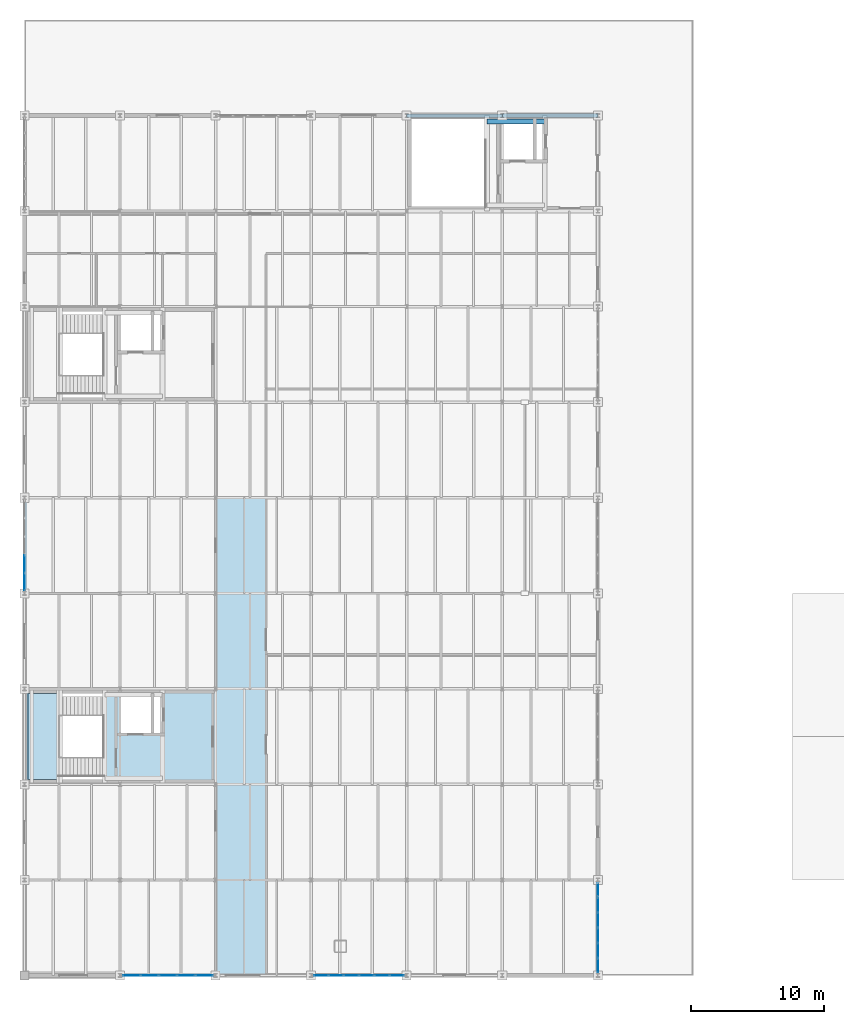
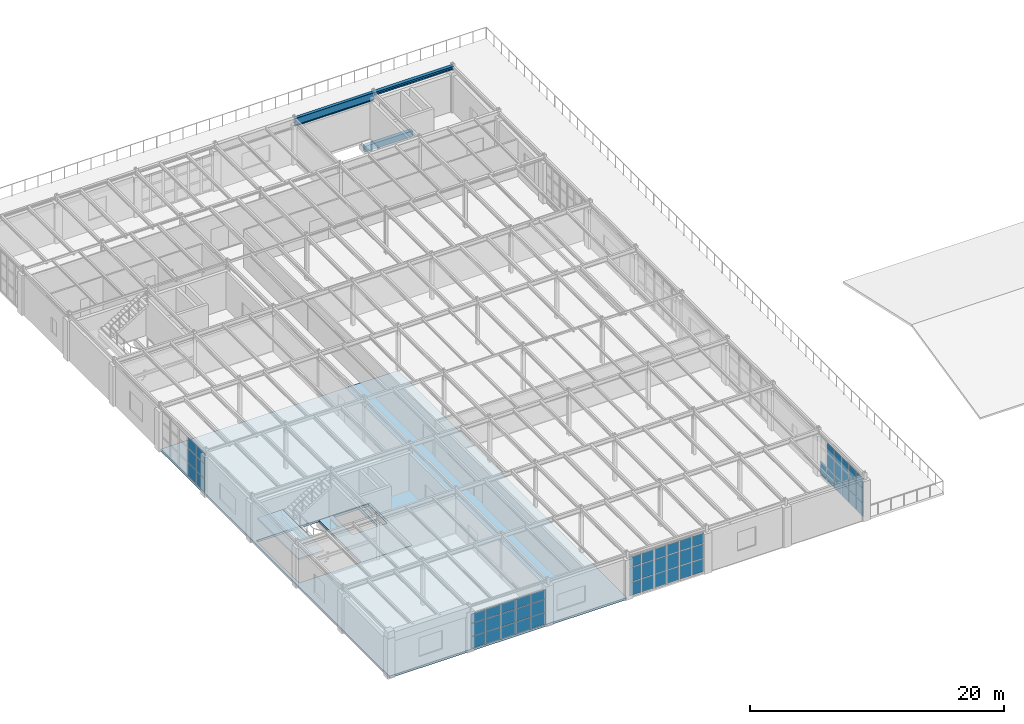
# One storey, part 28 of 36: 55 plates, 3 beams, 3 slabs, 5 elements without a shape of their own.
"""IFC4 building model written with IfcOpenShell, lengths in metres."""

import ifcopenshell
import ifcopenshell.guid

model = None  # the IFC model being written
_history = None  # IfcOwnerHistory: only IFC2X3 demands one
_inside = {}  # id of a spatial element -> (the spatial element, [elements in it])
_under = {}  # id of a project, library or spatial element -> (it, [spatial elements below it])
_declared = {}  # id of a project -> (the project, [libraries it declares])
_typed = {}  # id of a type object -> (the type object, [elements of that type])
_made_of = {}  # id of a material, layer set ... -> (it, [elements and type objects made of it])


def new_model(schema):
    """Start an empty IFC model of exactly this schema.

    Asked for "IFC4X3", IfcOpenShell would pick the latest addendum, in which some entities
    have other attributes; the version numbers below select the first issue.
    IFC2X3 requires an IfcOwnerHistory on every rooted entity: one is made here for all.
    """
    global model, _history
    if schema == "IFC4X3":
        model = ifcopenshell.file(schema_version=(4, 3, 0, 0))
    else:
        model = ifcopenshell.file(schema=schema)
    _inside.clear()
    _under.clear()
    _declared.clear()
    _typed.clear()
    _made_of.clear()
    _history = None
    if model.schema == "IFC2X3":
        org = make("IfcOrganization", Name="unknown")
        user = make(
            "IfcPersonAndOrganization",
            ThePerson=make("IfcPerson", FamilyName="unknown"),
            TheOrganization=org,
        )
        app = make(
            "IfcApplication",
            ApplicationDeveloper=org,
            Version="unknown",
            ApplicationFullName="unknown",
            ApplicationIdentifier="unknown",
        )
        _history = make(
            "IfcOwnerHistory",
            OwningUser=user,
            OwningApplication=app,
            ChangeAction="ADDED",
            CreationDate=0,
        )
    return model


def make(cls, **values):
    """One entity of the class cls with the attributes given. An attribute that is None is left unset."""
    return model.create_entity(
        cls, **{name: value for name, value in values.items() if value is not None}
    )


def rooted(cls, **values):
    """An entity with a GlobalId (a new one), such as an element, a storey or a relation."""
    return make(cls, GlobalId=ifcopenshell.guid.new(), OwnerHistory=_history, **values)


def si_unit(unit_type, name, prefix=None):
    """IfcSIUnit, for example si_unit("LENGTHUNIT", "METRE", prefix="MILLI")."""
    return make("IfcSIUnit", UnitType=unit_type, Prefix=prefix, Name=name)


def assignment(units):
    """IfcUnitAssignment: the units of a project."""
    return None if units is None else make("IfcUnitAssignment", Units=units)


def point(xyz):
    """IfcCartesianPoint."""
    return None if xyz is None else make("IfcCartesianPoint", Coordinates=xyz)


def direction(xyz):
    """IfcDirection."""
    return None if xyz is None else make("IfcDirection", DirectionRatios=xyz)


def frame(location, z_axis=None, x_axis=None):
    """IfcAxis2Placement3D, a coordinate frame: its origin and axes. An axis left out is left unset."""
    return make(
        "IfcAxis2Placement3D",
        Location=point(location),
        Axis=direction(z_axis),
        RefDirection=direction(x_axis),
    )


def frame_2d(location, x_axis=None):
    """IfcAxis2Placement2D, a coordinate frame in the plane: its origin and x axis."""
    return make(
        "IfcAxis2Placement2D", Location=point(location), RefDirection=direction(x_axis)
    )


def origin():
    """The frame at (0, 0, 0) with its axes left unset."""
    return frame((0.0, 0.0, 0.0))


def origin_2d():
    """The frame at (0, 0) in the plane with its x axis left unset."""
    return frame_2d((0.0, 0.0))


def place(relative_to, where):
    """IfcLocalPlacement: puts the frame where relative to a parent placement (None: the world)."""
    return make(
        "IfcLocalPlacement", PlacementRelTo=relative_to, RelativePlacement=where
    )


def context(
    kind, dimensions, precision=None, world=None, true_north=None, identifier=None
):
    """IfcGeometricRepresentationContext, for example the 3D "Model" context."""
    return make(
        "IfcGeometricRepresentationContext",
        ContextIdentifier=identifier,
        ContextType=kind,
        CoordinateSpaceDimension=dimensions,
        Precision=precision,
        WorldCoordinateSystem=world,
        TrueNorth=true_north,
    )


def subcontext(parent, identifier, kind, view, scale=None):
    """IfcGeometricRepresentationSubContext, for example "Body" below "Model"."""
    return make(
        "IfcGeometricRepresentationSubContext",
        ContextIdentifier=identifier,
        ContextType=kind,
        ParentContext=parent,
        TargetScale=scale,
        TargetView=view,
    )


def project(units=None, contexts=None):
    """IfcProject with its units and contexts."""
    return rooted(
        "IfcProject",
        Name="project",
        RepresentationContexts=contexts,
        UnitsInContext=assignment(units),
    )


def spatial(cls, under=None, at=None, **own):
    """A site, building, storey or space (cls), placed at a placement, below another one or the project."""
    s = rooted(cls, ObjectPlacement=at, **own)
    if under is not None:
        _under.setdefault(under.id(), (under, []))[1].append(s)
    return s


def polyline(points):
    """IfcPolyline through the points."""
    return make("IfcPolyline", Points=[point(p) for p in points])


def profile(cls, at=None, kind="AREA", **sizes):
    """A parametric profile (cls). Its sizes go by their IFC names, for example OverallWidth=200.0."""
    return make(cls, ProfileType=kind, Position=at, **sizes)


def rectangle(**sizes):
    """IfcRectangleProfileDef."""
    return profile("IfcRectangleProfileDef", **sizes)


def i_section(**sizes):
    """IfcIShapeProfileDef."""
    return profile("IfcIShapeProfileDef", **sizes)


def outline(outer, holes=None, kind="AREA"):
    """IfcArbitraryClosedProfileDef: a profile drawn as a closed curve; with holes, ...WithVoids."""
    if holes is None:
        return make("IfcArbitraryClosedProfileDef", ProfileType=kind, OuterCurve=outer)
    return make(
        "IfcArbitraryProfileDefWithVoids",
        ProfileType=kind,
        OuterCurve=outer,
        InnerCurves=holes,
    )


def extrude(swept, where, along, depth):
    """IfcExtrudedAreaSolid: the profile swept, set in the frame where, extruded along a direction by depth."""
    return make(
        "IfcExtrudedAreaSolid",
        SweptArea=swept,
        Position=where,
        ExtrudedDirection=direction(along),
        Depth=depth,
    )


def shape(context_of_items, identifier, shape_type, items):
    """IfcShapeRepresentation: the items that make up one representation, for example the "Body"."""
    return make(
        "IfcShapeRepresentation",
        ContextOfItems=context_of_items,
        RepresentationIdentifier=identifier,
        RepresentationType=shape_type,
        Items=items,
    )


def material(Name=None, Category=None):
    """IfcMaterial."""
    return make("IfcMaterial", Name=Name, Category=Category)


def layer(
    of_material, thickness, ventilated=None, Name=None, Category=None, Priority=None
):
    """IfcMaterialLayer: one layer of a wall or slab, of a material (None: an air gap)."""
    return make(
        "IfcMaterialLayer",
        Material=of_material,
        LayerThickness=thickness,
        IsVentilated=ventilated,
        Name=Name,
        Category=Category,
        Priority=Priority,
    )


def layer_set(layers, Name=None):
    """IfcMaterialLayerSet."""
    return make("IfcMaterialLayerSet", MaterialLayers=layers, LayerSetName=Name)


def material_profile(
    of_material, cross_section, Name=None, Category=None, Priority=None
):
    """IfcMaterialProfile: a cross section and its material."""
    return make(
        "IfcMaterialProfile",
        Name=Name,
        Material=of_material,
        Profile=cross_section,
        Priority=Priority,
        Category=Category,
    )


def profile_set(profiles, Name=None, composite=None):
    """IfcMaterialProfileSet."""
    return make(
        "IfcMaterialProfileSet",
        Name=Name,
        MaterialProfiles=profiles,
        CompositeProfile=composite,
    )


def made_of(thing, what):
    """Note that an element or type object is made of a material, layer set ...; save() writes the relation."""
    if what is not None:
        _made_of.setdefault(what.id(), (what, []))[1].append(thing)
    return thing


def type_object(cls, material=None, **own):
    """A type object (cls), such as IfcWallType, which elements share."""
    return made_of(rooted(cls, **own), material)


def element(
    cls,
    number,
    at=None,
    inside=None,
    cuts=None,
    type_object=None,
    material=None,
    context=None,
    identifier="Body",
    shape_type=None,
    held_by="IfcProductDefinitionShape",
    body=None,
    shapes=None,
    **own,
):
    """One element of the class cls, such as IfcWall. Its Tag is "e" and its number.

    at: its placement. inside: the storey or other place that contains it. cuts: it is an
    opening in that element (IfcRelVoidsElement). A single representation is given by context,
    identifier, shape_type and body (its items); several are given by shapes. held_by: the class
    of the entity that holds the representations. save() writes the other relations.
    """
    e = rooted(cls, Tag="e%d" % number, ObjectPlacement=at, **own)
    if body is not None:
        shapes = [shape(context, identifier, shape_type, body)]
    if shapes is not None:
        e.Representation = make(held_by, Representations=shapes)
    if inside is not None:
        _inside.setdefault(inside.id(), (inside, []))[1].append(e)
    if cuts is not None:
        rooted(
            "IfcRelVoidsElement", RelatingBuildingElement=cuts, RelatedOpeningElement=e
        )
    if type_object is not None:
        _typed.setdefault(type_object.id(), (type_object, []))[1].append(e)
    return made_of(e, material)


def aggregate(whole, parts):
    """IfcRelAggregates: a whole, such as a stair, and the parts it consists of."""
    return rooted("IfcRelAggregates", RelatingObject=whole, RelatedObjects=parts)


def save(model, path):
    """Write the relations noted so far, then the file.

    IfcRelAggregates (storeys below a building ...), IfcRelContainedInSpatialStructure (elements
    in a storey), IfcRelDefinesByType, IfcRelAssociatesMaterial and IfcRelDeclares: one each for
    every whole, place, type object, material and project.
    """
    for whole, parts in _under.values():
        aggregate(whole, parts)
    for where, things in _inside.values():
        rooted(
            "IfcRelContainedInSpatialStructure",
            RelatedElements=things,
            RelatingStructure=where,
        )
    for kind, things in _typed.values():
        rooted("IfcRelDefinesByType", RelatedObjects=things, RelatingType=kind)
    for what, things in _made_of.values():
        rooted("IfcRelAssociatesMaterial", RelatedObjects=things, RelatingMaterial=what)
    for by, libraries in _declared.values():
        rooted("IfcRelDeclares", RelatingContext=by, RelatedDefinitions=libraries)
    model.write(path)


model = new_model("IFC4")

# Units and contexts
model_context = context("Model", 3, precision=1e-05, world=origin(), true_north=direction((0.0, 1.0)))
body_context = subcontext(model_context, "Body", "Model", "MODEL_VIEW")
ifc_project = project(units=[si_unit("LENGTHUNIT", "METRE"), si_unit("AREAUNIT", "SQUARE_METRE"), si_unit("VOLUMEUNIT", "CUBIC_METRE"), si_unit("PLANEANGLEUNIT", "RADIAN"), si_unit("MASSUNIT", "GRAM", prefix="KILO")], contexts=[model_context])

# Site, building, storey
site_placement = place(None, origin())
site = spatial("IfcSite", under=ifc_project, at=site_placement, CompositionType="ELEMENT")
building_placement = place(site_placement, origin())
building = spatial("IfcBuilding", under=site, at=building_placement, Name="Kemerveld Promenade Tramway Depot", CompositionType="ELEMENT")
storey_placement = place(building_placement, frame((0.0, 0.0, 14.39990234375)))
storey = spatial("IfcBuildingStorey", under=building, at=storey_placement, Name="L03", CompositionType="ELEMENT", Elevation=14.39990234375)

# Beams
ifc_material_1 = material(Name="Steel S355", Category="steel")
ifc_material_profile_1 = material_profile(ifc_material_1, i_section(OverallWidth=0.2666015625, OverallDepth=0.76220703125, WebThickness=0.014404296875, FlangeThickness=0.021484375, FilletRadius=0.0166015625, at=origin_2d()), Name="762x267x173 UB")
ifc_profile_set_1 = profile_set([ifc_material_profile_1], Name="Steel S355")
beam_type_1 = type_object("IfcBeamType", Name="BM-G02", PredefinedType="BEAM", material=ifc_profile_set_1)
beam_1_placement = place(storey_placement, frame((28.800048828125, 64.800048828125, 3.904052734375), z_axis=(1.0, 0.0, 0.0), x_axis=(0.0, 1.0, 0.0)))
element("IfcBeam", 1, at=beam_1_placement, inside=storey, type_object=beam_type_1, Name="BMX-L03-05-06-K", PredefinedType="BEAM", context=body_context, shape_type="SweptSolid", body=[
    extrude(i_section(OverallWidth=0.2666015625, OverallDepth=0.76220703125, WebThickness=0.014404296875, FlangeThickness=0.021484375, FilletRadius=0.0166015625, at=origin_2d()), origin(), (0.0, 0.0, 1.0), 7.199951171875),
])
ifc_material_profile_2 = material_profile(ifc_material_1, i_section(OverallWidth=0.307373046875, OverallDepth=0.314453125, WebThickness=0.011962890625, FlangeThickness=0.018798828125, FilletRadius=0.01513671875, at=origin_2d()), Name="305x305x118 UC")
ifc_profile_set_2 = profile_set([ifc_material_profile_2], Name="Steel S355")
beam_type_2 = type_object("IfcBeamType", Name="BM-G12", PredefinedType="BEAM", material=ifc_profile_set_2)
beam_2_placement = place(storey_placement, frame((36.0, 64.800048828125, 4.127685546875), z_axis=(1.0, 0.0, 0.0), x_axis=(0.0, 1.0, 0.0)))
element("IfcBeam", 2, at=beam_2_placement, inside=storey, type_object=beam_type_2, Name="BMX-L03-06-07-K", PredefinedType="BEAM", context=body_context, shape_type="SweptSolid", body=[
    extrude(i_section(OverallWidth=0.307373046875, OverallDepth=0.314453125, WebThickness=0.011962890625, FlangeThickness=0.018798828125, FilletRadius=0.01513671875, at=origin_2d()), origin(), (0.0, 0.0, 1.0), 7.199951171875),
])
ifc_material_2 = material(Name="Concrete C40/50", Category="concrete")
ifc_material_profile_3 = material_profile(ifc_material_2, rectangle(XDim=0.35009765625, YDim=0.550048828125, at=origin_2d()), Name="RC-BM-350x550")
ifc_profile_set_3 = profile_set([ifc_material_profile_3], Name="Concrete C40/50")
beam_type_3 = type_object("IfcBeamType", Name="BM-RC3", PredefinedType="BEAM", material=ifc_profile_set_3)
beam_3_placement = place(storey_placement, frame((34.85009765625, 64.35009765625, -0.5), z_axis=(1.0, 0.0, 0.0), x_axis=(0.0, 1.0, 0.0)))
element("IfcBeam", 3, at=beam_3_placement, inside=storey, type_object=beam_type_3, Name="BM-COREX-C3-L03-N", PredefinedType="BEAM", context=body_context, shape_type="SweptSolid", body=[
    extrude(rectangle(XDim=0.35009765625, YDim=0.550048828125, at=origin_2d()), origin(), (0.0, 0.0, 1.0), 4.349853515625),
])

# Curtain wall, plates
ifc_material_3 = material(Name="Bronze anodised aluminium and solar glass", Category="aluminium")
ifc_layer_1 = layer(ifc_material_3, 0.199951171875)
ifc_layer_set_1 = layer_set([ifc_layer_1], Name="CW-SYS-12")
curtain_wall_type_1 = type_object("IfcCurtainWallType", Name="CW-SYS-12", PredefinedType="USERDEFINED", material=ifc_layer_set_1)
curtain_wall_1_placement = place(storey_placement, origin())
curtain_wall_1 = element("IfcCurtainWall", 4, at=curtain_wall_1_placement, inside=storey, type_object=curtain_wall_type_1, Name="CW-L03-V5E-09", ObjectType="GLAZED_CURTAIN_WALL", PredefinedType="USERDEFINED")
ifc_material_4 = material(Name="Solar-control laminated double glazing", Category="glass")
ifc_layer_2 = layer(ifc_material_4, 0.031982421875)
ifc_layer_set_2 = layer_set([ifc_layer_2], Name="CW-PNL-04")
plate_type_1 = type_object("IfcPlateType", Name="CW-PNL-04", PredefinedType="CURTAIN_PANEL", material=ifc_layer_set_2)
plate_1_placement = place(storey_placement, frame((43.199951171875, 6.4560546875, 0.065185546875), z_axis=(0.0, 0.0, 1.0), x_axis=(0.0, -1.0, 0.0)))
plate_1 = element("IfcPlate", 5, at=plate_1_placement, type_object=plate_type_1, Name="CW12 panel 1.1", PredefinedType="CURTAIN_PANEL", context=body_context, shape_type="SweptSolid", body=[
    extrude(rectangle(XDim=1.037353515625, YDim=0.031982421875, at=origin_2d()), origin(), (0.0, 0.0, 1.0), 1.25048828125),
])
plate_2_placement = place(storey_placement, frame((43.199951171875, 5.324951171875, 0.065185546875), z_axis=(0.0, 0.0, 1.0), x_axis=(0.0, -1.0, 0.0)))
plate_2 = element("IfcPlate", 6, at=plate_2_placement, type_object=plate_type_1, Name="CW12 panel 2.1", PredefinedType="CURTAIN_PANEL", context=body_context, shape_type="SweptSolid", body=[
    extrude(rectangle(XDim=1.074951171875, YDim=0.031982421875, at=origin_2d()), origin(), (0.0, 0.0, 1.0), 1.25048828125),
])
plate_3_placement = place(storey_placement, frame((43.199951171875, 5.324951171875, 1.380615234375), z_axis=(0.0, 0.0, 1.0), x_axis=(0.0, -1.0, 0.0)))
plate_3 = element("IfcPlate", 7, at=plate_3_placement, type_object=plate_type_1, Name="CW12 panel 2.2", PredefinedType="CURTAIN_PANEL", context=body_context, shape_type="SweptSolid", body=[
    extrude(rectangle(XDim=1.074951171875, YDim=0.031982421875, at=origin_2d()), origin(), (0.0, 0.0, 1.0), 1.35888671875),
])
plate_4_placement = place(storey_placement, frame((43.199951171875, 5.324951171875, 2.8046875), z_axis=(0.0, 0.0, 1.0), x_axis=(0.0, -1.0, 0.0)))
plate_4 = element("IfcPlate", 8, at=plate_4_placement, type_object=plate_type_1, Name="CW12 panel 2.3", PredefinedType="CURTAIN_PANEL", context=body_context, shape_type="SweptSolid", body=[
    extrude(rectangle(XDim=1.074951171875, YDim=0.031982421875, at=origin_2d()), origin(), (0.0, 0.0, 1.0), 0.98046875),
])
plate_5_placement = place(storey_placement, frame((43.199951171875, 4.175048828125, 0.065185546875), z_axis=(0.0, 0.0, 1.0), x_axis=(0.0, -1.0, 0.0)))
plate_5 = element("IfcPlate", 9, at=plate_5_placement, type_object=plate_type_1, Name="CW12 panel 3.1", PredefinedType="CURTAIN_PANEL", context=body_context, shape_type="SweptSolid", body=[
    extrude(rectangle(XDim=1.074951171875, YDim=0.031982421875, at=origin_2d()), origin(), (0.0, 0.0, 1.0), 1.25048828125),
])
plate_6_placement = place(storey_placement, frame((43.199951171875, 4.175048828125, 1.380615234375), z_axis=(0.0, 0.0, 1.0), x_axis=(0.0, -1.0, 0.0)))
plate_6 = element("IfcPlate", 10, at=plate_6_placement, type_object=plate_type_1, Name="CW12 panel 3.2", PredefinedType="CURTAIN_PANEL", context=body_context, shape_type="SweptSolid", body=[
    extrude(rectangle(XDim=1.074951171875, YDim=0.031982421875, at=origin_2d()), origin(), (0.0, 0.0, 1.0), 1.35888671875),
])
plate_7_placement = place(storey_placement, frame((43.199951171875, 4.175048828125, 2.8046875), z_axis=(0.0, 0.0, 1.0), x_axis=(0.0, -1.0, 0.0)))
plate_7 = element("IfcPlate", 11, at=plate_7_placement, type_object=plate_type_1, Name="CW12 panel 3.3", PredefinedType="CURTAIN_PANEL", context=body_context, shape_type="SweptSolid", body=[
    extrude(rectangle(XDim=1.074951171875, YDim=0.031982421875, at=origin_2d()), origin(), (0.0, 0.0, 1.0), 0.98046875),
])
plate_8_placement = place(storey_placement, frame((43.199951171875, 3.02490234375, 0.065185546875), z_axis=(0.0, 0.0, 1.0), x_axis=(0.0, -1.0, 0.0)))
plate_8 = element("IfcPlate", 12, at=plate_8_placement, type_object=plate_type_1, Name="CW12 panel 4.1", PredefinedType="CURTAIN_PANEL", context=body_context, shape_type="SweptSolid", body=[
    extrude(rectangle(XDim=1.074951171875, YDim=0.031982421875, at=origin_2d()), origin(), (0.0, 0.0, 1.0), 1.25048828125),
])
plate_9_placement = place(storey_placement, frame((43.199951171875, 3.02490234375, 1.380615234375), z_axis=(0.0, 0.0, 1.0), x_axis=(0.0, -1.0, 0.0)))
plate_9 = element("IfcPlate", 13, at=plate_9_placement, type_object=plate_type_1, Name="CW12 panel 4.2", PredefinedType="CURTAIN_PANEL", context=body_context, shape_type="SweptSolid", body=[
    extrude(rectangle(XDim=1.074951171875, YDim=0.031982421875, at=origin_2d()), origin(), (0.0, 0.0, 1.0), 1.35888671875),
])
plate_10_placement = place(storey_placement, frame((43.199951171875, 3.02490234375, 2.8046875), z_axis=(0.0, 0.0, 1.0), x_axis=(0.0, -1.0, 0.0)))
plate_10 = element("IfcPlate", 14, at=plate_10_placement, type_object=plate_type_1, Name="CW12 panel 4.3", PredefinedType="CURTAIN_PANEL", context=body_context, shape_type="SweptSolid", body=[
    extrude(rectangle(XDim=1.074951171875, YDim=0.031982421875, at=origin_2d()), origin(), (0.0, 0.0, 1.0), 0.98046875),
])
plate_11_placement = place(storey_placement, frame((43.199951171875, 1.875, 0.065185546875), z_axis=(0.0, 0.0, 1.0), x_axis=(0.0, -1.0, 0.0)))
plate_11 = element("IfcPlate", 15, at=plate_11_placement, type_object=plate_type_1, Name="CW12 panel 5.1", PredefinedType="CURTAIN_PANEL", context=body_context, shape_type="SweptSolid", body=[
    extrude(rectangle(XDim=1.074951171875, YDim=0.031982421875, at=origin_2d()), origin(), (0.0, 0.0, 1.0), 1.25048828125),
])
plate_12_placement = place(storey_placement, frame((43.199951171875, 1.875, 1.380615234375), z_axis=(0.0, 0.0, 1.0), x_axis=(0.0, -1.0, 0.0)))
plate_12 = element("IfcPlate", 16, at=plate_12_placement, type_object=plate_type_1, Name="CW12 panel 5.2", PredefinedType="CURTAIN_PANEL", context=body_context, shape_type="SweptSolid", body=[
    extrude(rectangle(XDim=1.074951171875, YDim=0.031982421875, at=origin_2d()), origin(), (0.0, 0.0, 1.0), 1.35888671875),
])
plate_13_placement = place(storey_placement, frame((43.199951171875, 1.875, 2.8046875), z_axis=(0.0, 0.0, 1.0), x_axis=(0.0, -1.0, 0.0)))
plate_13 = element("IfcPlate", 17, at=plate_13_placement, type_object=plate_type_1, Name="CW12 panel 5.3", PredefinedType="CURTAIN_PANEL", context=body_context, shape_type="SweptSolid", body=[
    extrude(rectangle(XDim=1.074951171875, YDim=0.031982421875, at=origin_2d()), origin(), (0.0, 0.0, 1.0), 0.98046875),
])
plate_14_placement = place(storey_placement, frame((43.199951171875, 0.743896484375, 0.065185546875), z_axis=(0.0, 0.0, 1.0), x_axis=(0.0, -1.0, 0.0)))
plate_14 = element("IfcPlate", 18, at=plate_14_placement, type_object=plate_type_1, Name="CW12 panel 6.1", PredefinedType="CURTAIN_PANEL", context=body_context, shape_type="SweptSolid", body=[
    extrude(rectangle(XDim=1.037353515625, YDim=0.031982421875, at=origin_2d()), origin(), (0.0, 0.0, 1.0), 1.25048828125),
])
plate_15_placement = place(storey_placement, frame((43.199951171875, 0.743896484375, 1.380615234375), z_axis=(0.0, 0.0, 1.0), x_axis=(0.0, -1.0, 0.0)))
plate_15 = element("IfcPlate", 19, at=plate_15_placement, type_object=plate_type_1, Name="CW12 panel 6.2", PredefinedType="CURTAIN_PANEL", context=body_context, shape_type="SweptSolid", body=[
    extrude(rectangle(XDim=1.037353515625, YDim=0.031982421875, at=origin_2d()), origin(), (0.0, 0.0, 1.0), 1.35888671875),
])
plate_16_placement = place(storey_placement, frame((43.199951171875, 0.743896484375, 2.8046875), z_axis=(0.0, 0.0, 1.0), x_axis=(0.0, -1.0, 0.0)))
plate_16 = element("IfcPlate", 20, at=plate_16_placement, type_object=plate_type_1, Name="CW12 panel 6.3", PredefinedType="CURTAIN_PANEL", context=body_context, shape_type="SweptSolid", body=[
    extrude(rectangle(XDim=1.037353515625, YDim=0.031982421875, at=origin_2d()), origin(), (0.0, 0.0, 1.0), 0.98046875),
])
aggregate(curtain_wall_1, [plate_1, plate_2, plate_3, plate_4, plate_5, plate_6, plate_7, plate_8, plate_9, plate_10, plate_11, plate_12, plate_13, plate_14, plate_15, plate_16])

ifc_layer_3 = layer(ifc_material_3, 0.199951171875)
ifc_layer_set_3 = layer_set([ifc_layer_3], Name="CW-SYS-06")
curtain_wall_type_2 = type_object("IfcCurtainWallType", Name="CW-SYS-06", PredefinedType="USERDEFINED", material=ifc_layer_set_3)
curtain_wall_2_placement = place(storey_placement, origin())
curtain_wall_2 = element("IfcCurtainWall", 21, at=curtain_wall_2_placement, inside=storey, type_object=curtain_wall_type_2, Name="CW-L03-V5S-03", ObjectType="GLAZED_CURTAIN_WALL", PredefinedType="USERDEFINED")
ifc_layer_4 = layer(ifc_material_4, 0.02587890625)
ifc_layer_set_4 = layer_set([ifc_layer_4], Name="CW-PNL-06")
plate_type_2 = type_object("IfcPlateType", Name="CW-PNL-06", PredefinedType="CURTAIN_PANEL", material=ifc_layer_set_4)
plate_17_placement = place(storey_placement, frame((28.05615234375, 0.0, 0.065185546875), z_axis=(0.0, 0.0, 1.0), x_axis=(-1.0, 0.0, 0.0)))
plate_17 = element("IfcPlate", 22, at=plate_17_placement, type_object=plate_type_2, Name="CW06 panel 1.1", PredefinedType="CURTAIN_PANEL", context=body_context, shape_type="SweptSolid", body=[
    extrude(rectangle(XDim=1.037353515625, YDim=0.02587890625, at=origin_2d()), origin(), (0.0, 0.0, 1.0), 1.25048828125),
])
plate_18_placement = place(storey_placement, frame((28.05615234375, 0.0, 1.380615234375), z_axis=(0.0, 0.0, 1.0), x_axis=(-1.0, 0.0, 0.0)))
plate_18 = element("IfcPlate", 23, at=plate_18_placement, type_object=plate_type_2, Name="CW06 panel 1.2", PredefinedType="CURTAIN_PANEL", context=body_context, shape_type="SweptSolid", body=[
    extrude(rectangle(XDim=1.037353515625, YDim=0.02587890625, at=origin_2d()), origin(), (0.0, 0.0, 1.0), 1.35888671875),
])
plate_19_placement = place(storey_placement, frame((28.05615234375, 0.0, 2.8046875), z_axis=(0.0, 0.0, 1.0), x_axis=(-1.0, 0.0, 0.0)))
plate_19 = element("IfcPlate", 24, at=plate_19_placement, type_object=plate_type_2, Name="CW06 panel 1.3", PredefinedType="CURTAIN_PANEL", context=body_context, shape_type="SweptSolid", body=[
    extrude(rectangle(XDim=1.037353515625, YDim=0.02587890625, at=origin_2d()), origin(), (0.0, 0.0, 1.0), 0.98046875),
])
plate_20_placement = place(storey_placement, frame((26.925048828125, 0.0, 0.065185546875), z_axis=(0.0, 0.0, 1.0), x_axis=(-1.0, 0.0, 0.0)))
plate_20 = element("IfcPlate", 25, at=plate_20_placement, type_object=plate_type_2, Name="CW06 panel 2.1", PredefinedType="CURTAIN_PANEL", context=body_context, shape_type="SweptSolid", body=[
    extrude(rectangle(XDim=1.074951171875, YDim=0.02587890625, at=origin_2d()), origin(), (0.0, 0.0, 1.0), 1.25048828125),
])
plate_21_placement = place(storey_placement, frame((26.925048828125, 0.0, 1.380615234375), z_axis=(0.0, 0.0, 1.0), x_axis=(-1.0, 0.0, 0.0)))
plate_21 = element("IfcPlate", 26, at=plate_21_placement, type_object=plate_type_2, Name="CW06 panel 2.2", PredefinedType="CURTAIN_PANEL", context=body_context, shape_type="SweptSolid", body=[
    extrude(rectangle(XDim=1.074951171875, YDim=0.02587890625, at=origin_2d()), origin(), (0.0, 0.0, 1.0), 1.35888671875),
])
plate_22_placement = place(storey_placement, frame((26.925048828125, 0.0, 2.8046875), z_axis=(0.0, 0.0, 1.0), x_axis=(-1.0, 0.0, 0.0)))
plate_22 = element("IfcPlate", 27, at=plate_22_placement, type_object=plate_type_2, Name="CW06 panel 2.3", PredefinedType="CURTAIN_PANEL", context=body_context, shape_type="SweptSolid", body=[
    extrude(rectangle(XDim=1.074951171875, YDim=0.02587890625, at=origin_2d()), origin(), (0.0, 0.0, 1.0), 0.98046875),
])
plate_23_placement = place(storey_placement, frame((25.775146484375, 0.0, 0.065185546875), z_axis=(0.0, 0.0, 1.0), x_axis=(-1.0, 0.0, 0.0)))
plate_23 = element("IfcPlate", 28, at=plate_23_placement, type_object=plate_type_2, Name="CW06 panel 3.1", PredefinedType="CURTAIN_PANEL", context=body_context, shape_type="SweptSolid", body=[
    extrude(rectangle(XDim=1.074951171875, YDim=0.02587890625, at=origin_2d()), origin(), (0.0, 0.0, 1.0), 1.25048828125),
])
plate_24_placement = place(storey_placement, frame((25.775146484375, 0.0, 1.380615234375), z_axis=(0.0, 0.0, 1.0), x_axis=(-1.0, 0.0, 0.0)))
plate_24 = element("IfcPlate", 29, at=plate_24_placement, type_object=plate_type_2, Name="CW06 panel 3.2", PredefinedType="CURTAIN_PANEL", context=body_context, shape_type="SweptSolid", body=[
    extrude(rectangle(XDim=1.074951171875, YDim=0.02587890625, at=origin_2d()), origin(), (0.0, 0.0, 1.0), 1.35888671875),
])
plate_25_placement = place(storey_placement, frame((25.775146484375, 0.0, 2.8046875), z_axis=(0.0, 0.0, 1.0), x_axis=(-1.0, 0.0, 0.0)))
plate_25 = element("IfcPlate", 30, at=plate_25_placement, type_object=plate_type_2, Name="CW06 panel 3.3", PredefinedType="CURTAIN_PANEL", context=body_context, shape_type="SweptSolid", body=[
    extrude(rectangle(XDim=1.074951171875, YDim=0.02587890625, at=origin_2d()), origin(), (0.0, 0.0, 1.0), 0.98046875),
])
plate_26_placement = place(storey_placement, frame((24.625, 0.0, 0.065185546875), z_axis=(0.0, 0.0, 1.0), x_axis=(-1.0, 0.0, 0.0)))
plate_26 = element("IfcPlate", 31, at=plate_26_placement, type_object=plate_type_2, Name="CW06 panel 4.1", PredefinedType="CURTAIN_PANEL", context=body_context, shape_type="SweptSolid", body=[
    extrude(rectangle(XDim=1.074951171875, YDim=0.02587890625, at=origin_2d()), origin(), (0.0, 0.0, 1.0), 1.25048828125),
])
plate_27_placement = place(storey_placement, frame((24.625, 0.0, 1.380615234375), z_axis=(0.0, 0.0, 1.0), x_axis=(-1.0, 0.0, 0.0)))
plate_27 = element("IfcPlate", 32, at=plate_27_placement, type_object=plate_type_2, Name="CW06 panel 4.2", PredefinedType="CURTAIN_PANEL", context=body_context, shape_type="SweptSolid", body=[
    extrude(rectangle(XDim=1.074951171875, YDim=0.02587890625, at=origin_2d()), origin(), (0.0, 0.0, 1.0), 1.35888671875),
])
plate_28_placement = place(storey_placement, frame((24.625, 0.0, 2.8046875), z_axis=(0.0, 0.0, 1.0), x_axis=(-1.0, 0.0, 0.0)))
plate_28 = element("IfcPlate", 33, at=plate_28_placement, type_object=plate_type_2, Name="CW06 panel 4.3", PredefinedType="CURTAIN_PANEL", context=body_context, shape_type="SweptSolid", body=[
    extrude(rectangle(XDim=1.074951171875, YDim=0.02587890625, at=origin_2d()), origin(), (0.0, 0.0, 1.0), 0.98046875),
])
plate_29_placement = place(storey_placement, frame((23.47509765625, 0.0, 0.065185546875), z_axis=(0.0, 0.0, 1.0), x_axis=(-1.0, 0.0, 0.0)))
plate_29 = element("IfcPlate", 34, at=plate_29_placement, type_object=plate_type_2, Name="CW06 panel 5.1", PredefinedType="CURTAIN_PANEL", context=body_context, shape_type="SweptSolid", body=[
    extrude(rectangle(XDim=1.074951171875, YDim=0.02587890625, at=origin_2d()), origin(), (0.0, 0.0, 1.0), 1.25048828125),
])
plate_30_placement = place(storey_placement, frame((23.47509765625, 0.0, 1.380615234375), z_axis=(0.0, 0.0, 1.0), x_axis=(-1.0, 0.0, 0.0)))
plate_30 = element("IfcPlate", 35, at=plate_30_placement, type_object=plate_type_2, Name="CW06 panel 5.2", PredefinedType="CURTAIN_PANEL", context=body_context, shape_type="SweptSolid", body=[
    extrude(rectangle(XDim=1.074951171875, YDim=0.02587890625, at=origin_2d()), origin(), (0.0, 0.0, 1.0), 1.35888671875),
])
plate_31_placement = place(storey_placement, frame((23.47509765625, 0.0, 2.8046875), z_axis=(0.0, 0.0, 1.0), x_axis=(-1.0, 0.0, 0.0)))
plate_31 = element("IfcPlate", 36, at=plate_31_placement, type_object=plate_type_2, Name="CW06 panel 5.3", PredefinedType="CURTAIN_PANEL", context=body_context, shape_type="SweptSolid", body=[
    extrude(rectangle(XDim=1.074951171875, YDim=0.02587890625, at=origin_2d()), origin(), (0.0, 0.0, 1.0), 0.98046875),
])
plate_32_placement = place(storey_placement, frame((22.343994140625, 0.0, 0.065185546875), z_axis=(0.0, 0.0, 1.0), x_axis=(-1.0, 0.0, 0.0)))
plate_32 = element("IfcPlate", 37, at=plate_32_placement, type_object=plate_type_2, Name="CW06 panel 6.1", PredefinedType="CURTAIN_PANEL", context=body_context, shape_type="SweptSolid", body=[
    extrude(rectangle(XDim=1.037353515625, YDim=0.02587890625, at=origin_2d()), origin(), (0.0, 0.0, 1.0), 1.25048828125),
])
plate_33_placement = place(storey_placement, frame((22.343994140625, 0.0, 1.380615234375), z_axis=(0.0, 0.0, 1.0), x_axis=(-1.0, 0.0, 0.0)))
plate_33 = element("IfcPlate", 38, at=plate_33_placement, type_object=plate_type_2, Name="CW06 panel 6.2", PredefinedType="CURTAIN_PANEL", context=body_context, shape_type="SweptSolid", body=[
    extrude(rectangle(XDim=1.037353515625, YDim=0.02587890625, at=origin_2d()), origin(), (0.0, 0.0, 1.0), 1.35888671875),
])
plate_34_placement = place(storey_placement, frame((22.343994140625, 0.0, 2.8046875), z_axis=(0.0, 0.0, 1.0), x_axis=(-1.0, 0.0, 0.0)))
plate_34 = element("IfcPlate", 39, at=plate_34_placement, type_object=plate_type_2, Name="CW06 panel 6.3", PredefinedType="CURTAIN_PANEL", context=body_context, shape_type="SweptSolid", body=[
    extrude(rectangle(XDim=1.037353515625, YDim=0.02587890625, at=origin_2d()), origin(), (0.0, 0.0, 1.0), 0.98046875),
])
aggregate(curtain_wall_2, [plate_17, plate_18, plate_19, plate_20, plate_21, plate_22, plate_23, plate_24, plate_25, plate_26, plate_27, plate_28, plate_29, plate_30, plate_31, plate_32, plate_33, plate_34])

ifc_layer_5 = layer(ifc_material_3, 0.199951171875)
ifc_layer_set_5 = layer_set([ifc_layer_5], Name="CW-SYS-08")
curtain_wall_type_3 = type_object("IfcCurtainWallType", Name="CW-SYS-08", PredefinedType="USERDEFINED", material=ifc_layer_set_5)
curtain_wall_3_placement = place(storey_placement, origin())
curtain_wall_3 = element("IfcCurtainWall", 40, at=curtain_wall_3_placement, inside=storey, type_object=curtain_wall_type_3, Name="CW-L03-V5W-05", ObjectType="GLAZED_CURTAIN_WALL", PredefinedType="USERDEFINED")
ifc_layer_6 = layer(ifc_material_4, 0.028076171875)
ifc_layer_set_6 = layer_set([ifc_layer_6], Name="CW-PNL-08")
plate_type_3 = type_object("IfcPlateType", Name="CW-PNL-08", PredefinedType="CURTAIN_PANEL", material=ifc_layer_set_6)
plate_35_placement = place(storey_placement, frame((0.0, 29.658935546875, 0.065185546875), z_axis=(0.0, 0.0, 1.0), x_axis=(0.0, 1.0, 0.0)))
plate_35 = element("IfcPlate", 41, at=plate_35_placement, type_object=plate_type_3, Name="CW08 panel 1.1", PredefinedType="CURTAIN_PANEL", context=body_context, shape_type="SweptSolid", body=[
    extrude(rectangle(XDim=1.267333984375, YDim=0.028076171875, at=origin_2d()), origin(), (0.0, 0.0, 1.0), 1.25048828125),
])
plate_36_placement = place(storey_placement, frame((0.0, 29.658935546875, 1.380615234375), z_axis=(0.0, 0.0, 1.0), x_axis=(0.0, 1.0, 0.0)))
plate_36 = element("IfcPlate", 42, at=plate_36_placement, type_object=plate_type_3, Name="CW08 panel 1.2", PredefinedType="CURTAIN_PANEL", context=body_context, shape_type="SweptSolid", body=[
    extrude(rectangle(XDim=1.267333984375, YDim=0.028076171875, at=origin_2d()), origin(), (0.0, 0.0, 1.0), 1.35888671875),
])
plate_37_placement = place(storey_placement, frame((0.0, 29.658935546875, 2.8046875), z_axis=(0.0, 0.0, 1.0), x_axis=(0.0, 1.0, 0.0)))
plate_37 = element("IfcPlate", 43, at=plate_37_placement, type_object=plate_type_3, Name="CW08 panel 1.3", PredefinedType="CURTAIN_PANEL", context=body_context, shape_type="SweptSolid", body=[
    extrude(rectangle(XDim=1.267333984375, YDim=0.028076171875, at=origin_2d()), origin(), (0.0, 0.0, 1.0), 0.98046875),
])
plate_38_placement = place(storey_placement, frame((0.0, 31.02001953125, 0.065185546875), z_axis=(0.0, 0.0, 1.0), x_axis=(0.0, 1.0, 0.0)))
plate_38 = element("IfcPlate", 44, at=plate_38_placement, type_object=plate_type_3, Name="CW08 panel 2.1", PredefinedType="CURTAIN_PANEL", context=body_context, shape_type="SweptSolid", body=[
    extrude(rectangle(XDim=1.304931640625, YDim=0.028076171875, at=origin_2d()), origin(), (0.0, 0.0, 1.0), 1.25048828125),
])
plate_39_placement = place(storey_placement, frame((0.0, 31.02001953125, 1.380615234375), z_axis=(0.0, 0.0, 1.0), x_axis=(0.0, 1.0, 0.0)))
plate_39 = element("IfcPlate", 45, at=plate_39_placement, type_object=plate_type_3, Name="CW08 panel 2.2", PredefinedType="CURTAIN_PANEL", context=body_context, shape_type="SweptSolid", body=[
    extrude(rectangle(XDim=1.304931640625, YDim=0.028076171875, at=origin_2d()), origin(), (0.0, 0.0, 1.0), 1.35888671875),
])
plate_40_placement = place(storey_placement, frame((0.0, 31.02001953125, 2.8046875), z_axis=(0.0, 0.0, 1.0), x_axis=(0.0, 1.0, 0.0)))
plate_40 = element("IfcPlate", 46, at=plate_40_placement, type_object=plate_type_3, Name="CW08 panel 2.3", PredefinedType="CURTAIN_PANEL", context=body_context, shape_type="SweptSolid", body=[
    extrude(rectangle(XDim=1.304931640625, YDim=0.028076171875, at=origin_2d()), origin(), (0.0, 0.0, 1.0), 0.98046875),
])
aggregate(curtain_wall_3, [plate_35, plate_36, plate_37, plate_38, plate_39, plate_40])

curtain_wall_4_placement = place(storey_placement, origin())
curtain_wall_4 = element("IfcCurtainWall", 47, at=curtain_wall_4_placement, inside=storey, type_object=curtain_wall_type_3, Name="CW-L03-V5S-05", ObjectType="GLAZED_CURTAIN_WALL", PredefinedType="USERDEFINED")
plate_41_placement = place(storey_placement, frame((13.541259765625, 0.0, 0.06494140625), z_axis=(0.0, 0.0, 1.0), x_axis=(-1.0, 0.0, 0.0)))
plate_41 = element("IfcPlate", 48, at=plate_41_placement, type_object=plate_type_3, Name="CW08 panel 1.1", PredefinedType="CURTAIN_PANEL", context=body_context, shape_type="SweptSolid", body=[
    extrude(rectangle(XDim=1.267333984375, YDim=0.028076171875, at=origin_2d()), origin(), (0.0, 0.0, 1.0), 1.097412109375),
])
plate_42_placement = place(storey_placement, frame((13.541259765625, 0.0, 1.2275390625), z_axis=(0.0, 0.0, 1.0), x_axis=(-1.0, 0.0, 0.0)))
plate_42 = element("IfcPlate", 49, at=plate_42_placement, type_object=plate_type_3, Name="CW08 panel 1.2", PredefinedType="CURTAIN_PANEL", context=body_context, shape_type="SweptSolid", body=[
    extrude(rectangle(XDim=1.267333984375, YDim=0.028076171875, at=origin_2d()), origin(), (0.0, 0.0, 1.0), 1.198974609375),
])
plate_43_placement = place(storey_placement, frame((13.541259765625, 0.0, 2.49169921875), z_axis=(0.0, 0.0, 1.0), x_axis=(-1.0, 0.0, 0.0)))
plate_43 = element("IfcPlate", 50, at=plate_43_placement, type_object=plate_type_3, Name="CW08 panel 1.3", PredefinedType="CURTAIN_PANEL", context=body_context, shape_type="SweptSolid", body=[
    extrude(rectangle(XDim=1.267333984375, YDim=0.028076171875, at=origin_2d()), origin(), (0.0, 0.0, 1.0), 0.8583984375),
])
plate_44_placement = place(storey_placement, frame((12.179931640625, 0.0, 0.06494140625), z_axis=(0.0, 0.0, 1.0), x_axis=(-1.0, 0.0, 0.0)))
plate_44 = element("IfcPlate", 51, at=plate_44_placement, type_object=plate_type_3, Name="CW08 panel 2.1", PredefinedType="CURTAIN_PANEL", context=body_context, shape_type="SweptSolid", body=[
    extrude(rectangle(XDim=1.304931640625, YDim=0.028076171875, at=origin_2d()), origin(), (0.0, 0.0, 1.0), 1.097412109375),
])
plate_45_placement = place(storey_placement, frame((12.179931640625, 0.0, 1.2275390625), z_axis=(0.0, 0.0, 1.0), x_axis=(-1.0, 0.0, 0.0)))
plate_45 = element("IfcPlate", 52, at=plate_45_placement, type_object=plate_type_3, Name="CW08 panel 2.2", PredefinedType="CURTAIN_PANEL", context=body_context, shape_type="SweptSolid", body=[
    extrude(rectangle(XDim=1.304931640625, YDim=0.028076171875, at=origin_2d()), origin(), (0.0, 0.0, 1.0), 1.198974609375),
])
plate_46_placement = place(storey_placement, frame((12.179931640625, 0.0, 2.49169921875), z_axis=(0.0, 0.0, 1.0), x_axis=(-1.0, 0.0, 0.0)))
plate_46 = element("IfcPlate", 53, at=plate_46_placement, type_object=plate_type_3, Name="CW08 panel 2.3", PredefinedType="CURTAIN_PANEL", context=body_context, shape_type="SweptSolid", body=[
    extrude(rectangle(XDim=1.304931640625, YDim=0.028076171875, at=origin_2d()), origin(), (0.0, 0.0, 1.0), 0.8583984375),
])
plate_47_placement = place(storey_placement, frame((10.800048828125, 0.0, 0.06494140625), z_axis=(0.0, 0.0, 1.0), x_axis=(-1.0, 0.0, 0.0)))
plate_47 = element("IfcPlate", 54, at=plate_47_placement, type_object=plate_type_3, Name="CW08 panel 3.1", PredefinedType="CURTAIN_PANEL", context=body_context, shape_type="SweptSolid", body=[
    extrude(rectangle(XDim=1.304931640625, YDim=0.028076171875, at=origin_2d()), origin(), (0.0, 0.0, 1.0), 1.097412109375),
])
plate_48_placement = place(storey_placement, frame((10.800048828125, 0.0, 1.2275390625), z_axis=(0.0, 0.0, 1.0), x_axis=(-1.0, 0.0, 0.0)))
plate_48 = element("IfcPlate", 55, at=plate_48_placement, type_object=plate_type_3, Name="CW08 panel 3.2", PredefinedType="CURTAIN_PANEL", context=body_context, shape_type="SweptSolid", body=[
    extrude(rectangle(XDim=1.304931640625, YDim=0.028076171875, at=origin_2d()), origin(), (0.0, 0.0, 1.0), 1.198974609375),
])
plate_49_placement = place(storey_placement, frame((10.800048828125, 0.0, 2.49169921875), z_axis=(0.0, 0.0, 1.0), x_axis=(-1.0, 0.0, 0.0)))
plate_49 = element("IfcPlate", 56, at=plate_49_placement, type_object=plate_type_3, Name="CW08 panel 3.3", PredefinedType="CURTAIN_PANEL", context=body_context, shape_type="SweptSolid", body=[
    extrude(rectangle(XDim=1.304931640625, YDim=0.028076171875, at=origin_2d()), origin(), (0.0, 0.0, 1.0), 0.8583984375),
])
plate_50_placement = place(storey_placement, frame((9.420166015625, 0.0, 0.06494140625), z_axis=(0.0, 0.0, 1.0), x_axis=(-1.0, 0.0, 0.0)))
plate_50 = element("IfcPlate", 57, at=plate_50_placement, type_object=plate_type_3, Name="CW08 panel 4.1", PredefinedType="CURTAIN_PANEL", context=body_context, shape_type="SweptSolid", body=[
    extrude(rectangle(XDim=1.304931640625, YDim=0.028076171875, at=origin_2d()), origin(), (0.0, 0.0, 1.0), 1.097412109375),
])
plate_51_placement = place(storey_placement, frame((9.420166015625, 0.0, 1.2275390625), z_axis=(0.0, 0.0, 1.0), x_axis=(-1.0, 0.0, 0.0)))
plate_51 = element("IfcPlate", 58, at=plate_51_placement, type_object=plate_type_3, Name="CW08 panel 4.2", PredefinedType="CURTAIN_PANEL", context=body_context, shape_type="SweptSolid", body=[
    extrude(rectangle(XDim=1.304931640625, YDim=0.028076171875, at=origin_2d()), origin(), (0.0, 0.0, 1.0), 1.198974609375),
])
plate_52_placement = place(storey_placement, frame((9.420166015625, 0.0, 2.49169921875), z_axis=(0.0, 0.0, 1.0), x_axis=(-1.0, 0.0, 0.0)))
plate_52 = element("IfcPlate", 59, at=plate_52_placement, type_object=plate_type_3, Name="CW08 panel 4.3", PredefinedType="CURTAIN_PANEL", context=body_context, shape_type="SweptSolid", body=[
    extrude(rectangle(XDim=1.304931640625, YDim=0.028076171875, at=origin_2d()), origin(), (0.0, 0.0, 1.0), 0.8583984375),
])
plate_53_placement = place(storey_placement, frame((8.058837890625, 0.0, 0.06494140625), z_axis=(0.0, 0.0, 1.0), x_axis=(-1.0, 0.0, 0.0)))
plate_53 = element("IfcPlate", 60, at=plate_53_placement, type_object=plate_type_3, Name="CW08 panel 5.1", PredefinedType="CURTAIN_PANEL", context=body_context, shape_type="SweptSolid", body=[
    extrude(rectangle(XDim=1.267333984375, YDim=0.028076171875, at=origin_2d()), origin(), (0.0, 0.0, 1.0), 1.097412109375),
])
plate_54_placement = place(storey_placement, frame((8.058837890625, 0.0, 1.2275390625), z_axis=(0.0, 0.0, 1.0), x_axis=(-1.0, 0.0, 0.0)))
plate_54 = element("IfcPlate", 61, at=plate_54_placement, type_object=plate_type_3, Name="CW08 panel 5.2", PredefinedType="CURTAIN_PANEL", context=body_context, shape_type="SweptSolid", body=[
    extrude(rectangle(XDim=1.267333984375, YDim=0.028076171875, at=origin_2d()), origin(), (0.0, 0.0, 1.0), 1.198974609375),
])
plate_55_placement = place(storey_placement, frame((8.058837890625, 0.0, 2.49169921875), z_axis=(0.0, 0.0, 1.0), x_axis=(-1.0, 0.0, 0.0)))
plate_55 = element("IfcPlate", 62, at=plate_55_placement, type_object=plate_type_3, Name="CW08 panel 5.3", PredefinedType="CURTAIN_PANEL", context=body_context, shape_type="SweptSolid", body=[
    extrude(rectangle(XDim=1.267333984375, YDim=0.028076171875, at=origin_2d()), origin(), (0.0, 0.0, 1.0), 0.8583984375),
])
aggregate(curtain_wall_4, [plate_41, plate_42, plate_43, plate_44, plate_45, plate_46, plate_47, plate_48, plate_49, plate_50, plate_51, plate_52, plate_53, plate_54, plate_55])

# Slabs
ifc_layer_7 = layer(ifc_material_2, 0.219970703125)
ifc_layer_set_7 = layer_set([ifc_layer_7], Name="SL-CORE-220")
slab_type_1 = type_object("IfcSlabType", Name="SL-CORE-220", PredefinedType="FLOOR", material=ifc_layer_set_7)
slab_1_placement = place(storey_placement, frame((0.0, 0.0, -0.219970703125)))
element("IfcSlab", 63, at=slab_1_placement, inside=storey, type_object=slab_type_1, Name="SLB-CORE-C1-L03", PredefinedType="FLOOR", context=body_context, shape_type="SweptSolid", body=[
    extrude(outline(polyline([(5.919921875, 14.64990234375), (10.550048828125, 14.64990234375), (10.550048828125, 21.35009765625), (5.919921875, 21.35009765625), (5.919921875, 14.64990234375)]), holes=[polyline([(7.199951171875, 18.280029296875), (9.550048828125, 18.280029296875), (9.550048828125, 21.280029296875), (7.199951171875, 21.280029296875), (7.199951171875, 18.280029296875)]), polyline([(9.75, 18.280029296875), (10.3798828125, 18.280029296875), (10.3798828125, 21.280029296875), (9.75, 21.280029296875), (9.75, 18.280029296875)])]), origin(), (0.0, 0.0, 1.0), 0.219970703125),
])
ifc_material_5 = material(Name="Concrete C35/45", Category="concrete")
ifc_layer_8 = layer(ifc_material_5, 0.199951171875)
ifc_layer_set_8 = layer_set([ifc_layer_8], Name="SL-FL04")
slab_type_2 = type_object("IfcSlabType", Name="SL-FL04", PredefinedType="FLOOR", material=ifc_layer_set_8)
slab_2_placement = place(storey_placement, frame((0.0, 0.0, -0.199951171875)))
element("IfcSlab", 64, at=slab_2_placement, inside=storey, type_object=slab_type_2, Name="SLB-L03-V5A", PredefinedType="FLOOR", context=body_context, shape_type="SweptSolid", body=[
    extrude(outline(polyline([(0.0, 0.0), (21.60009765625, 0.0), (21.60009765625, 36.0), (0.0, 36.0), (0.0, 0.0)]), holes=[polyline([(0.25, 14.64990234375), (10.550048828125, 14.64990234375), (10.550048828125, 21.35009765625), (0.25, 21.35009765625), (0.25, 14.64990234375)])]), origin(), (0.0, 0.0, 1.0), 0.199951171875),
])

# Stair, slab
stair_type = type_object("IfcStairType", Name="STR-HT-TYP", PredefinedType="HALF_TURN_STAIR", material=ifc_material_2)
stair_placement = place(storey_placement, origin())
stair = element("IfcStair", 65, at=stair_placement, inside=storey, type_object=stair_type, Name="ST-01-L03", PredefinedType="HALF_TURN_STAIR")
ifc_layer_9 = layer(ifc_material_2, 0.179931640625)
ifc_layer_set_9 = layer_set([ifc_layer_9], Name="SL-LND-180")
slab_type_3 = type_object("IfcSlabType", Name="SL-LND-180", PredefinedType="LANDING", material=ifc_layer_set_9)
slab_3_placement = place(storey_placement, frame((0.0, 0.0, 2.070068359375)))
slab_3 = element("IfcSlab", 66, at=slab_3_placement, type_object=slab_type_3, Name="ST-01-L03 landing 1", PredefinedType="LANDING", context=body_context, shape_type="SweptSolid", body=[
    extrude(outline(polyline([(0.280029296875, 14.760009765625), (2.580078125, 14.760009765625), (2.580078125, 21.239990234375), (0.280029296875, 21.239990234375), (0.280029296875, 14.760009765625)])), origin(), (0.0, 0.0, 1.0), 0.179931640625),
])
aggregate(stair, [slab_3])

save(model, "model.ifc")
